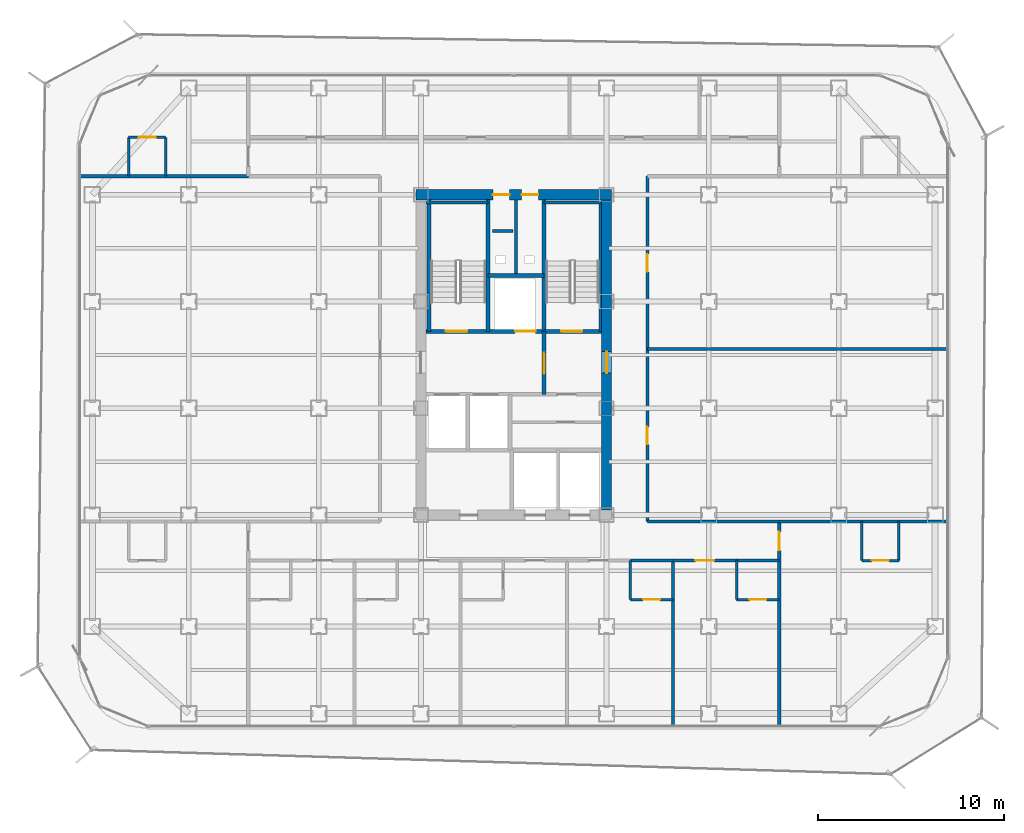
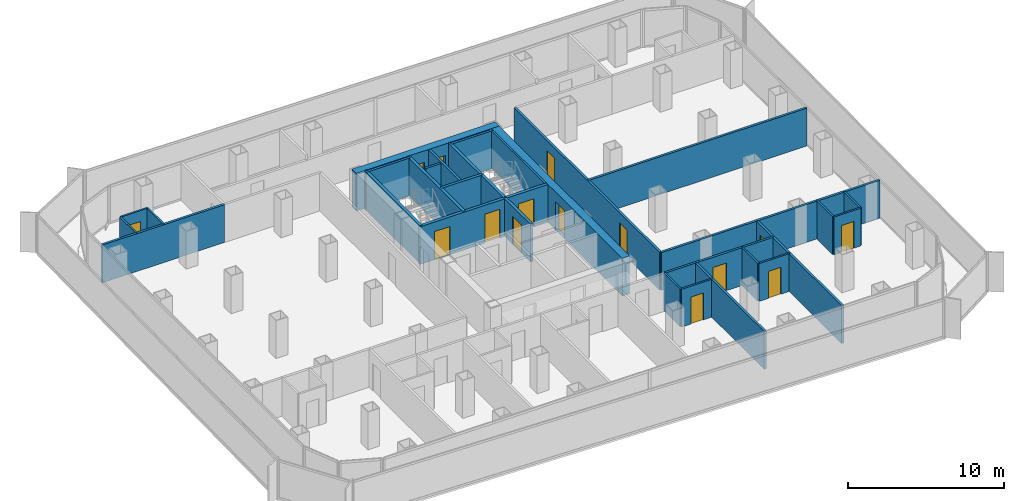
# One storey, part 17 of 21: 34 walls, 15 doors, 15 openings.
"""IFC4 building model written with IfcOpenShell, lengths in metres."""

from ifc_helpers import new_model, si_unit, direction, frame, frame_2d, origin, place, context, subcontext, project, spatial, rectangle, extrude, material, layer, layer_set, type_object, element, fill, save


model = new_model("IFC4")

# Units and contexts
model_context = context("Model", 3, precision=1e-05, world=origin(), true_north=direction((0.0, 1.0)))
body_context = subcontext(model_context, "Body", "Model", "MODEL_VIEW")
ifc_project = project(units=[si_unit("LENGTHUNIT", "METRE"), si_unit("AREAUNIT", "SQUARE_METRE"), si_unit("VOLUMEUNIT", "CUBIC_METRE"), si_unit("PLANEANGLEUNIT", "RADIAN"), si_unit("MASSUNIT", "GRAM", prefix="KILO")], contexts=[model_context])

# Site, building, storey
site_placement = place(None, origin())
site = spatial("IfcSite", under=ifc_project, at=site_placement, CompositionType="ELEMENT")
building_placement = place(site_placement, origin())
building = spatial("IfcBuilding", under=site, at=building_placement, Name="Kolveth Station Tower", CompositionType="ELEMENT")
storey_placement = place(building_placement, frame((0.0, 0.0, 99.10009765625)))
storey = spatial("IfcBuildingStorey", under=building, at=storey_placement, Name="L26", CompositionType="ELEMENT", Elevation=99.10009765625)

# Wall, openings, doors
ifc_material_1 = material(Name="Concrete C60/75", Category="concrete")
ifc_layer_1 = layer(ifc_material_1, 0.550048828125)
ifc_layer_set_1 = layer_set([ifc_layer_1], Name="Concrete C60/75")
wall_type_1 = type_object("IfcWallType", Name="Wall_CW-550", PredefinedType="SHEAR", material=ifc_layer_set_1)
wall_1_placement = place(storey_placement, frame((18.22509765625, 28.75, 0.0), z_axis=(0.0, 0.0, 1.0), x_axis=(1.0, 0.0, 0.0)))
wall_1 = element("IfcWall", 1, at=wall_1_placement, inside=storey, type_object=wall_type_1, Name="L26 Core RC Shear Wall N", PredefinedType="SHEAR", context=body_context, shape_type="SweptSolid", body=[
    extrude(rectangle(XDim=10.5498046875, YDim=0.550048828125, at=frame_2d((5.27490234375, 0.0))), origin(), (0.0, 0.0, 1.0), 2.949951171875),
])
opening_1_placement = place(wall_1_placement, frame((4.155029296875, 0.0, 0.0)))
opening_1 = element("IfcOpeningElement", 2, at=opening_1_placement, cuts=wall_1, Name="Opening RD1", PredefinedType="OPENING", context=body_context, shape_type="SweptSolid", body=[
    extrude(rectangle(XDim=0.89990234375, YDim=2.050048828125, at=frame_2d((0.449951171875, 1.02490234375))), frame((0.0, 0.284912109375, 0.0), z_axis=(0.0, -1.0, 0.0), x_axis=(1.0, 0.0, 0.0)), (0.0, 0.0, 1.0), 0.570068359375),
])
opening_2_placement = place(wall_1_placement, frame((5.695068359375, 0.0, 0.0)))
opening_2 = element("IfcOpeningElement", 3, at=opening_2_placement, cuts=wall_1, Name="Opening RD1", PredefinedType="OPENING", context=body_context, shape_type="SweptSolid", body=[
    extrude(rectangle(XDim=0.89990234375, YDim=2.050048828125, at=frame_2d((0.449951171875, 1.02490234375))), frame((0.0, 0.284912109375, 0.0), z_axis=(0.0, -1.0, 0.0), x_axis=(1.0, 0.0, 0.0)), (0.0, 0.0, 1.0), 0.570068359375),
])
ifc_material_2 = material(Name="Fire-rated Steel S355 riser access leaf", Category="steel")
door_type_1 = type_object("IfcDoorType", Name="Door_RD1", OperationType="NOTDEFINED", PredefinedType="DOOR", material=ifc_material_2)
door_1_placement = place(opening_1_placement, origin())
door_1 = element("IfcDoor", 4, at=door_1_placement, inside=storey, type_object=door_type_1, Name="L26 Electrical Riser Access Door", OperationType="SINGLE_SWING_RIGHT", OverallHeight=2.050048828125, OverallWidth=0.89990234375, PredefinedType="DOOR", context=body_context, shape_type="SweptSolid", body=[
    extrude(rectangle(XDim=0.89990234375, YDim=2.050048828125, at=frame_2d((0.449951171875, 1.02490234375))), frame((0.0, 0.02490234375, 0.0), z_axis=(0.0, -1.0, 0.0), x_axis=(1.0, 0.0, 0.0)), (0.0, 0.0, 1.0), 0.050048828125),
])
fill(opening_1, door_1)
door_2_placement = place(opening_2_placement, origin())
door_2 = element("IfcDoor", 5, at=door_2_placement, inside=storey, type_object=door_type_1, Name="L26 Smoke Duct Access Door", OperationType="SINGLE_SWING_LEFT", OverallHeight=2.050048828125, OverallWidth=0.89990234375, PredefinedType="DOOR", context=body_context, shape_type="SweptSolid", body=[
    extrude(rectangle(XDim=0.89990234375, YDim=2.050048828125, at=frame_2d((0.449951171875, 1.02490234375))), frame((0.0, 0.02490234375, 0.0), z_axis=(0.0, -1.0, 0.0), x_axis=(1.0, 0.0, 0.0)), (0.0, 0.0, 1.0), 0.050048828125),
])
fill(opening_2, door_2)

# Wall, opening, door
wall_2_placement = place(storey_placement, frame((28.5, 11.77490234375, 0.0), z_axis=(0.0, 0.0, 1.0), x_axis=(0.0, 1.0, 0.0)))
wall_2 = element("IfcWall", 6, at=wall_2_placement, inside=storey, type_object=wall_type_1, Name="L26 Core RC Shear Wall E", PredefinedType="SHEAR", context=body_context, shape_type="SweptSolid", body=[
    extrude(rectangle(XDim=16.7001953125, YDim=0.550048828125, at=frame_2d((8.35009765625, 0.0))), origin(), (0.0, 0.0, 1.0), 2.949951171875),
])
opening_3_placement = place(wall_2_placement, frame((7.375, 0.0, 0.0)))
opening_3 = element("IfcOpeningElement", 7, at=opening_3_placement, cuts=wall_2, Name="Opening FD1", PredefinedType="OPENING", context=body_context, shape_type="SweptSolid", body=[
    extrude(rectangle(XDim=1.14990234375, YDim=2.199951171875, at=frame_2d((0.574951171875, 1.10009765625))), frame((0.0, 0.284912109375, 0.0), z_axis=(0.0, -1.0, 0.0), x_axis=(1.0, 0.0, 0.0)), (0.0, 0.0, 1.0), 0.570068359375),
])
ifc_material_3 = material(Name="Fire-rated Steel S355 leaf and frame", Category="steel")
door_type_2 = type_object("IfcDoorType", Name="Door_FD1", OperationType="NOTDEFINED", PredefinedType="DOOR", material=ifc_material_3)
door_3_placement = place(opening_3_placement, origin())
door_3 = element("IfcDoor", 8, at=door_3_placement, inside=storey, type_object=door_type_2, Name="L26 East Corridor to Stair Lobby Door", OperationType="SINGLE_SWING_LEFT", OverallHeight=2.199951171875, OverallWidth=1.14990234375, PredefinedType="DOOR", context=body_context, shape_type="SweptSolid", body=[
    extrude(rectangle(XDim=1.14990234375, YDim=2.199951171875, at=frame_2d((0.574951171875, 1.10009765625))), frame((0.0, 0.02490234375, 0.0), z_axis=(0.0, -1.0, 0.0), x_axis=(1.0, 0.0, 0.0)), (0.0, 0.0, 1.0), 0.050048828125),
])
fill(opening_3, door_3)

# Walls
ifc_material_4 = material(Name="Moisture-resistant gypsum partition")
ifc_layer_2 = layer(ifc_material_4, 0.135009765625)
ifc_layer_set_2 = layer_set([ifc_layer_2], Name="Moisture-resistant gypsum partition")
wall_type_2 = type_object("IfcWallType", Name="Wall_IW-135", PredefinedType="PARTITIONING", material=ifc_layer_set_2)
wall_3_placement = place(storey_placement, frame((28.16748046875, 21.389892578125, 0.0), z_axis=(0.0, 0.0, 1.0), x_axis=(0.0, 1.0, 0.0)))
element("IfcWall", 9, at=wall_3_placement, inside=storey, type_object=wall_type_2, Name="L26 Stair Shaft Wall WL-L26-ST2-E", PredefinedType="PARTITIONING", context=body_context, shape_type="SweptSolid", body=[
    extrude(rectangle(XDim=6.945068359375, YDim=0.135009765625, at=frame_2d((3.47265625, 0.0))), origin(), (0.0, 0.0, 1.0), 2.949951171875),
])
for number, where, z_axis, x_axis, name in (
    (10, (2.75, 29.75, 0.0), (0.0, 0.0, 1.0), (0.0, 1.0, 0.0), "L26 Partition Wall WL-L26-WS2-BV1"),
    (11, (4.75, 29.75, 0.0), (0.0, 0.0, 1.0), (0.0, 1.0, 0.0), "L26 Partition Wall WL-L26-WS2-BV2"),
):
    element("IfcWall", number, at=place(storey_placement, frame(where, z_axis=z_axis, x_axis=x_axis)), inside=storey, type_object=wall_type_2, Name=name, PredefinedType="PARTITIONING", context=body_context, shape_type="SweptSolid", body=[
        extrude(rectangle(XDim=2.10009765625, YDim=0.135009765625, at=frame_2d((1.050048828125, 0.0))), origin(), (0.0, 0.0, 1.0), 2.949951171875),
    ])

# Wall, opening, door
wall_4_placement = place(storey_placement, frame((2.75, 31.85009765625, 0.0), z_axis=(0.0, 0.0, 1.0), x_axis=(1.0, 0.0, 0.0)))
wall_4 = element("IfcWall", 12, at=wall_4_placement, inside=storey, type_object=wall_type_2, Name="L26 Partition Wall WL-L26-WS2-BH", PredefinedType="PARTITIONING", context=body_context, shape_type="SweptSolid", body=[
    extrude(rectangle(XDim=2.0, YDim=0.135009765625, at=frame_2d((1.0, 0.0))), origin(), (0.0, 0.0, 1.0), 2.949951171875),
])
opening_4_placement = place(wall_4_placement, frame((0.5400390625, 0.0, 0.0)))
opening_4 = element("IfcOpeningElement", 13, at=opening_4_placement, cuts=wall_4, Name="Opening ID2", PredefinedType="OPENING", context=body_context, shape_type="SweptSolid", body=[
    extrude(rectangle(XDim=0.919921875, YDim=2.10009765625, at=frame_2d((0.4599609375, 1.050048828125))), frame((0.0, 0.077392578125, 0.0), z_axis=(0.0, -1.0, 0.0), x_axis=(1.0, 0.0, 0.0)), (0.0, 0.0, 1.0), 0.155029296875),
])
ifc_material_5 = material(Name="Moisture-resistant hardwood leaf", Category="wood")
door_type_3 = type_object("IfcDoorType", Name="Door_ID2", OperationType="NOTDEFINED", PredefinedType="DOOR", material=ifc_material_5)
door_4_placement = place(opening_4_placement, frame((0.919921875, 0.0, 0.0), z_axis=(0.0, 0.0, 1.0), x_axis=(-1.0, 0.0, 0.0)))
door_4 = element("IfcDoor", 14, at=door_4_placement, inside=storey, type_object=door_type_3, Name="L26 Hotel Guest Room WS2 En-Suite Door", OperationType="SINGLE_SWING_LEFT", OverallHeight=2.10009765625, OverallWidth=0.919921875, PredefinedType="DOOR", context=body_context, shape_type="SweptSolid", body=[
    extrude(rectangle(XDim=0.919921875, YDim=2.10009765625, at=frame_2d((0.4599609375, 1.050048828125))), frame((0.0, 0.02490234375, 0.0), z_axis=(0.0, -1.0, 0.0), x_axis=(1.0, 0.0, 0.0)), (0.0, 0.0, 1.0), 0.050048828125),
])
fill(opening_4, door_4)

# Walls
for number, where, z_axis, x_axis, name in (
    (15, (42.25, 9.050048828125, 0.0), (0.0, 0.0, 1.0), (0.0, 1.0, 0.0), "L26 Partition Wall WL-L26-ES1-BV1"),
    (16, (44.25, 9.050048828125, 0.0), (0.0, 0.0, 1.0), (0.0, 1.0, 0.0), "L26 Partition Wall WL-L26-ES1-BV2"),
):
    element("IfcWall", number, at=place(storey_placement, frame(where, z_axis=z_axis, x_axis=x_axis)), inside=storey, type_object=wall_type_2, Name=name, PredefinedType="PARTITIONING", context=body_context, shape_type="SweptSolid", body=[
        extrude(rectangle(XDim=2.099853515625, YDim=0.135009765625, at=frame_2d((1.0498046875, 0.0))), origin(), (0.0, 0.0, 1.0), 2.949951171875),
    ])

# Wall, opening, door
wall_5_placement = place(storey_placement, frame((42.25, 9.050048828125, 0.0), z_axis=(0.0, 0.0, 1.0), x_axis=(1.0, 0.0, 0.0)))
wall_5 = element("IfcWall", 17, at=wall_5_placement, inside=storey, type_object=wall_type_2, Name="L26 Partition Wall WL-L26-ES1-BH", PredefinedType="PARTITIONING", context=body_context, shape_type="SweptSolid", body=[
    extrude(rectangle(XDim=2.0, YDim=0.135009765625, at=frame_2d((1.0, 0.0))), origin(), (0.0, 0.0, 1.0), 2.949951171875),
])
opening_5_placement = place(wall_5_placement, frame((0.5400390625, 0.0, 0.0)))
opening_5 = element("IfcOpeningElement", 18, at=opening_5_placement, cuts=wall_5, Name="Opening ID2", PredefinedType="OPENING", context=body_context, shape_type="SweptSolid", body=[
    extrude(rectangle(XDim=0.919921875, YDim=2.10009765625, at=frame_2d((0.4599609375, 1.050048828125))), frame((0.0, 0.077392578125, 0.0), z_axis=(0.0, -1.0, 0.0), x_axis=(1.0, 0.0, 0.0)), (0.0, 0.0, 1.0), 0.155029296875),
])
door_5_placement = place(opening_5_placement, origin())
door_5 = element("IfcDoor", 19, at=door_5_placement, inside=storey, type_object=door_type_3, Name="L26 Hotel Corner Suite ES1 En-Suite Door", OperationType="SINGLE_SWING_LEFT", OverallHeight=2.10009765625, OverallWidth=0.919921875, PredefinedType="DOOR", context=body_context, shape_type="SweptSolid", body=[
    extrude(rectangle(XDim=0.919921875, YDim=2.10009765625, at=frame_2d((0.4599609375, 1.050048828125))), frame((0.0, 0.02490234375, 0.0), z_axis=(0.0, -1.0, 0.0), x_axis=(1.0, 0.0, 0.0)), (0.0, 0.0, 1.0), 0.050048828125),
])
fill(opening_5, door_5)

# Wall
wall_6_placement = place(storey_placement, frame((29.780029296875, 6.949951171875, 0.0), z_axis=(0.0, 0.0, 1.0), x_axis=(0.0, 1.0, 0.0)))
element("IfcWall", 20, at=wall_6_placement, inside=storey, type_object=wall_type_2, Name="L26 Partition Wall WL-L26-HS4-BV", PredefinedType="PARTITIONING", context=body_context, shape_type="SweptSolid", body=[
    extrude(rectangle(XDim=2.10009765625, YDim=0.135009765625, at=frame_2d((1.050048828125, 0.0))), origin(), (0.0, 0.0, 1.0), 2.949951171875),
])

# Wall, opening, door
wall_7_placement = place(storey_placement, frame((29.780029296875, 6.949951171875, 0.0), z_axis=(0.0, 0.0, 1.0), x_axis=(1.0, 0.0, 0.0)))
wall_7 = element("IfcWall", 21, at=wall_7_placement, inside=storey, type_object=wall_type_2, Name="L26 Partition Wall WL-L26-HS4-BH", PredefinedType="PARTITIONING", context=body_context, shape_type="SweptSolid", body=[
    extrude(rectangle(XDim=2.300048828125, YDim=0.135009765625, at=frame_2d((1.14990234375, 0.0))), origin(), (0.0, 0.0, 1.0), 2.949951171875),
])
opening_6_placement = place(wall_7_placement, frame((0.68994140625, 0.0, 0.0)))
opening_6 = element("IfcOpeningElement", 22, at=opening_6_placement, cuts=wall_7, Name="Opening ID2", PredefinedType="OPENING", context=body_context, shape_type="SweptSolid", body=[
    extrude(rectangle(XDim=0.919921875, YDim=2.10009765625, at=frame_2d((0.4599609375, 1.050048828125))), frame((0.0, 0.077392578125, 0.0), z_axis=(0.0, -1.0, 0.0), x_axis=(1.0, 0.0, 0.0)), (0.0, 0.0, 1.0), 0.155029296875),
])
door_6_placement = place(opening_6_placement, origin())
door_6 = element("IfcDoor", 23, at=door_6_placement, inside=storey, type_object=door_type_3, Name="L26 Hotel Guest Room HS4 En-Suite Door", OperationType="SINGLE_SWING_LEFT", OverallHeight=2.10009765625, OverallWidth=0.919921875, PredefinedType="DOOR", context=body_context, shape_type="SweptSolid", body=[
    extrude(rectangle(XDim=0.919921875, YDim=2.10009765625, at=frame_2d((0.4599609375, 1.050048828125))), frame((0.0, 0.02490234375, 0.0), z_axis=(0.0, -1.0, 0.0), x_axis=(1.0, 0.0, 0.0)), (0.0, 0.0, 1.0), 0.050048828125),
])
fill(opening_6, door_6)

# Wall
wall_8_placement = place(storey_placement, frame((35.5, 6.949951171875, 0.0), z_axis=(0.0, 0.0, 1.0), x_axis=(0.0, 1.0, 0.0)))
element("IfcWall", 24, at=wall_8_placement, inside=storey, type_object=wall_type_2, Name="L26 Partition Wall WL-L26-HS5-BV", PredefinedType="PARTITIONING", context=body_context, shape_type="SweptSolid", body=[
    extrude(rectangle(XDim=2.10009765625, YDim=0.135009765625, at=frame_2d((1.050048828125, 0.0))), origin(), (0.0, 0.0, 1.0), 2.949951171875),
])

# Wall, opening, door
wall_9_placement = place(storey_placement, frame((35.5, 6.949951171875, 0.0), z_axis=(0.0, 0.0, 1.0), x_axis=(1.0, 0.0, 0.0)))
wall_9 = element("IfcWall", 25, at=wall_9_placement, inside=storey, type_object=wall_type_2, Name="L26 Partition Wall WL-L26-HS5-BH", PredefinedType="PARTITIONING", context=body_context, shape_type="SweptSolid", body=[
    extrude(rectangle(XDim=2.300048828125, YDim=0.135009765625, at=frame_2d((1.14990234375, 0.0))), origin(), (0.0, 0.0, 1.0), 2.949951171875),
])
opening_7_placement = place(wall_9_placement, frame((0.68994140625, 0.0, 0.0)))
opening_7 = element("IfcOpeningElement", 26, at=opening_7_placement, cuts=wall_9, Name="Opening ID2", PredefinedType="OPENING", context=body_context, shape_type="SweptSolid", body=[
    extrude(rectangle(XDim=0.919921875, YDim=2.10009765625, at=frame_2d((0.4599609375, 1.050048828125))), frame((0.0, 0.077392578125, 0.0), z_axis=(0.0, -1.0, 0.0), x_axis=(1.0, 0.0, 0.0)), (0.0, 0.0, 1.0), 0.155029296875),
])
door_7_placement = place(opening_7_placement, origin())
door_7 = element("IfcDoor", 27, at=door_7_placement, inside=storey, type_object=door_type_3, Name="L26 Hotel Guest Room HS5 En-Suite Door", OperationType="SINGLE_SWING_LEFT", OverallHeight=2.10009765625, OverallWidth=0.919921875, PredefinedType="DOOR", context=body_context, shape_type="SweptSolid", body=[
    extrude(rectangle(XDim=0.919921875, YDim=2.10009765625, at=frame_2d((0.4599609375, 1.050048828125))), frame((0.0, 0.02490234375, 0.0), z_axis=(0.0, -1.0, 0.0), x_axis=(1.0, 0.0, 0.0)), (0.0, 0.0, 1.0), 0.050048828125),
])
fill(opening_7, door_7)

# Walls
ifc_material_6 = material(Name="Acoustic double-stud gypsum partition")
ifc_layer_3 = layer(ifc_material_6, 0.1650390625)
ifc_layer_set_3 = layer_set([ifc_layer_3], Name="Acoustic double-stud gypsum partition")
wall_type_3 = type_object("IfcWallType", Name="Wall_IW-165", PredefinedType="PARTITIONING", material=ifc_layer_set_3)
wall_10_placement = place(storey_placement, frame((18.784912109375, 28.3349609375, 0.0), z_axis=(0.0, 0.0, 1.0), x_axis=(1.0, 0.0, 0.0)))
element("IfcWall", 28, at=wall_10_placement, inside=storey, type_object=wall_type_3, Name="L26 Stair Shaft Wall WL-L26-ST1-N", PredefinedType="PARTITIONING", context=body_context, shape_type="SweptSolid", body=[
    extrude(rectangle(XDim=3.3251953125, YDim=0.1650390625, at=frame_2d((1.66259765625, 0.0))), origin(), (0.0, 0.0, 1.0), 2.949951171875),
])
wall_11_placement = place(storey_placement, frame((25.1298828125, 28.3349609375, 0.0), z_axis=(0.0, 0.0, 1.0), x_axis=(1.0, 0.0, 0.0)))
element("IfcWall", 29, at=wall_11_placement, inside=storey, type_object=wall_type_3, Name="L26 Stair Shaft Wall WL-L26-ST2-N", PredefinedType="PARTITIONING", context=body_context, shape_type="SweptSolid", body=[
    extrude(rectangle(XDim=3.085205078125, YDim=0.1650390625, at=frame_2d((1.54248046875, 0.0))), origin(), (0.0, 0.0, 1.0), 2.949951171875),
])
wall_12_placement = place(storey_placement, frame((23.6201171875, 24.39990234375, 0.0), z_axis=(0.0, 0.0, 1.0), x_axis=(0.0, 1.0, 0.0)))
element("IfcWall", 30, at=wall_12_placement, inside=storey, type_object=wall_type_3, Name="L26 Partition Wall WL-L26-RSR-M", PredefinedType="PARTITIONING", context=body_context, shape_type="SweptSolid", body=[
    extrude(rectangle(XDim=4.065185546875, YDim=0.1650390625, at=frame_2d((2.03271484375, 0.0))), origin(), (0.0, 0.0, 1.0), 2.949951171875),
])
wall_13_placement = place(storey_placement, frame((30.699951171875, 11.14990234375, 0.0), z_axis=(0.0, 0.0, 1.0), x_axis=(1.0, 0.0, 0.0)))
element("IfcWall", 31, at=wall_13_placement, inside=storey, type_object=wall_type_3, Name="L26 Partition Wall WL-L26-HSET", PredefinedType="PARTITIONING", context=body_context, shape_type="SweptSolid", body=[
    extrude(rectangle(XDim=7.10009765625, YDim=0.1650390625, at=frame_2d((3.550048828125, 0.0))), origin(), (0.0, 0.0, 1.0), 2.949951171875),
])

# Wall, openings, doors
wall_14_placement = place(storey_placement, frame((30.699951171875, 11.14990234375, 0.0), z_axis=(0.0, 0.0, 1.0), x_axis=(0.0, 1.0, 0.0)))
wall_14 = element("IfcWall", 32, at=wall_14_placement, inside=storey, type_object=wall_type_3, Name="L26 Partition Wall WL-L26-HE", PredefinedType="PARTITIONING", context=body_context, shape_type="SweptSolid", body=[
    extrude(rectangle(XDim=18.60009765625, YDim=0.1650390625, at=frame_2d((9.300048828125, 0.0))), origin(), (0.0, 0.0, 1.0), 2.949951171875),
])
opening_8_placement = place(wall_14_placement, frame((4.14990234375, 0.0, 0.0)))
opening_8 = element("IfcOpeningElement", 33, at=opening_8_placement, cuts=wall_14, Name="Opening ID1", PredefinedType="OPENING", context=body_context, shape_type="SweptSolid", body=[
    extrude(rectangle(XDim=0.949951171875, YDim=2.14990234375, at=frame_2d((0.47509765625, 1.074951171875))), frame((0.0, 0.092529296875, 0.0), z_axis=(0.0, -1.0, 0.0), x_axis=(1.0, 0.0, 0.0)), (0.0, 0.0, 1.0), 0.18505859375),
])
opening_9_placement = place(wall_14_placement, frame((13.449951171875, 0.0, 0.0)))
opening_9 = element("IfcOpeningElement", 34, at=opening_9_placement, cuts=wall_14, Name="Opening ID1", PredefinedType="OPENING", context=body_context, shape_type="SweptSolid", body=[
    extrude(rectangle(XDim=0.949951171875, YDim=2.14990234375, at=frame_2d((0.47509765625, 1.074951171875))), frame((0.0, 0.092529296875, 0.0), z_axis=(0.0, -1.0, 0.0), x_axis=(1.0, 0.0, 0.0)), (0.0, 0.0, 1.0), 0.18505859375),
])
ifc_material_7 = material(Name="Acoustic hardwood leaf and aluminium frame", Category="wood")
door_type_4 = type_object("IfcDoorType", Name="Door_ID1", OperationType="NOTDEFINED", PredefinedType="DOOR", material=ifc_material_7)
door_8_placement = place(opening_8_placement, origin())
door_8 = element("IfcDoor", 35, at=door_8_placement, inside=storey, type_object=door_type_4, Name="L26 Hotel Guest Lounge East Door", OperationType="SINGLE_SWING_RIGHT", OverallHeight=2.14990234375, OverallWidth=0.949951171875, PredefinedType="DOOR", context=body_context, shape_type="SweptSolid", body=[
    extrude(rectangle(XDim=0.949951171875, YDim=2.14990234375, at=frame_2d((0.47509765625, 1.074951171875))), frame((0.0, 0.02490234375, 0.0), z_axis=(0.0, -1.0, 0.0), x_axis=(1.0, 0.0, 0.0)), (0.0, 0.0, 1.0), 0.050048828125),
])
fill(opening_8, door_8)
door_9_placement = place(opening_9_placement, origin())
door_9 = element("IfcDoor", 36, at=door_9_placement, inside=storey, type_object=door_type_4, Name="L26 Spa Treatment Suite Door", OperationType="SINGLE_SWING_LEFT", OverallHeight=2.14990234375, OverallWidth=0.949951171875, PredefinedType="DOOR", context=body_context, shape_type="SweptSolid", body=[
    extrude(rectangle(XDim=0.949951171875, YDim=2.14990234375, at=frame_2d((0.47509765625, 1.074951171875))), frame((0.0, 0.02490234375, 0.0), z_axis=(0.0, -1.0, 0.0), x_axis=(1.0, 0.0, 0.0)), (0.0, 0.0, 1.0), 0.050048828125),
])
fill(opening_9, door_9)

# Wall, opening, door
wall_15_placement = place(storey_placement, frame((37.800048828125, 0.159912109375, 0.0), z_axis=(0.0, 0.0, 1.0), x_axis=(0.0, 1.0, 0.0)))
wall_15 = element("IfcWall", 37, at=wall_15_placement, inside=storey, type_object=wall_type_3, Name="L26 Partition Wall WL-L26-END-ES", PredefinedType="PARTITIONING", context=body_context, shape_type="SweptSolid", body=[
    extrude(rectangle(XDim=10.989990234375, YDim=0.1650390625, at=frame_2d((5.4951171875, 0.0))), origin(), (0.0, 0.0, 1.0), 2.949951171875),
])
opening_10_placement = place(wall_15_placement, frame((9.43994140625, 0.0, 0.0)))
opening_10 = element("IfcOpeningElement", 38, at=opening_10_placement, cuts=wall_15, Name="Opening FD3", PredefinedType="OPENING", context=body_context, shape_type="SweptSolid", body=[
    extrude(rectangle(XDim=1.0, YDim=2.14990234375, at=frame_2d((0.5, 1.074951171875))), frame((0.0, 0.092529296875, 0.0), z_axis=(0.0, -1.0, 0.0), x_axis=(1.0, 0.0, 0.0)), (0.0, 0.0, 1.0), 0.18505859375),
])
ifc_material_8 = material(Name="Fire-rated hardwood leaf and aluminium frame", Category="wood")
door_type_5 = type_object("IfcDoorType", Name="Door_FD3", OperationType="NOTDEFINED", PredefinedType="DOOR", material=ifc_material_8)
door_10_placement = place(opening_10_placement, frame((1.0, 0.0, 0.0), z_axis=(0.0, 0.0, 1.0), x_axis=(-1.0, 0.0, 0.0)))
door_10 = element("IfcDoor", 39, at=door_10_placement, inside=storey, type_object=door_type_5, Name="L26 Hotel Corner Suite ES1 Entrance Door", OperationType="SINGLE_SWING_LEFT", OverallHeight=2.14990234375, OverallWidth=1.0, PredefinedType="DOOR", context=body_context, shape_type="SweptSolid", body=[
    extrude(rectangle(XDim=1.0, YDim=2.14990234375, at=frame_2d((0.5, 1.074951171875))), frame((0.0, 0.02490234375, 0.0), z_axis=(0.0, -1.0, 0.0), x_axis=(1.0, 0.0, 0.0)), (0.0, 0.0, 1.0), 0.050048828125),
])
fill(opening_10, door_10)

# Walls
for number, where, z_axis, x_axis, name in (
    (40, (0.159912109375, 29.75, 0.0), (0.0, 0.0, 1.0), (1.0, 0.0, 0.0), "L26 Partition Wall WL-L26-WM2"),
    (41, (37.800048828125, 11.14990234375, 0.0), (0.0, 0.0, 1.0), (1.0, 0.0, 0.0), "L26 Partition Wall WL-L26-EM1"),
):
    element("IfcWall", number, at=place(storey_placement, frame(where, z_axis=z_axis, x_axis=x_axis)), inside=storey, type_object=wall_type_3, Name=name, PredefinedType="PARTITIONING", context=body_context, shape_type="SweptSolid", body=[
        extrude(rectangle(XDim=9.0400390625, YDim=0.1650390625, at=frame_2d((4.52001953125, 0.0))), origin(), (0.0, 0.0, 1.0), 2.949951171875),
    ])
wall_16_placement = place(storey_placement, frame((29.780029296875, 9.050048828125, 0.0), z_axis=(0.0, 0.0, 1.0), x_axis=(1.0, 0.0, 0.0)))
element("IfcWall", 42, at=wall_16_placement, inside=storey, type_object=wall_type_3, Name="L26 Partition Wall WL-L26-HS4-BCOR", PredefinedType="PARTITIONING", context=body_context, shape_type="SweptSolid", body=[
    extrude(rectangle(XDim=2.300048828125, YDim=0.1650390625, at=frame_2d((1.14990234375, 0.0))), origin(), (0.0, 0.0, 1.0), 2.949951171875),
])
wall_17_placement = place(storey_placement, frame((32.080078125, 0.159912109375, 0.0), z_axis=(0.0, 0.0, 1.0), x_axis=(0.0, 1.0, 0.0)))
element("IfcWall", 43, at=wall_17_placement, inside=storey, type_object=wall_type_3, Name="L26 Partition Wall WL-L26-HSK-4", PredefinedType="PARTITIONING", context=body_context, shape_type="SweptSolid", body=[
    extrude(rectangle(XDim=8.89013671875, YDim=0.1650390625, at=frame_2d((4.445068359375, 0.0))), origin(), (0.0, 0.0, 1.0), 2.949951171875),
])
wall_18_placement = place(storey_placement, frame((35.5, 9.050048828125, 0.0), z_axis=(0.0, 0.0, 1.0), x_axis=(1.0, 0.0, 0.0)))
element("IfcWall", 44, at=wall_18_placement, inside=storey, type_object=wall_type_3, Name="L26 Partition Wall WL-L26-HS5-BCOR", PredefinedType="PARTITIONING", context=body_context, shape_type="SweptSolid", body=[
    extrude(rectangle(XDim=2.300048828125, YDim=0.1650390625, at=frame_2d((1.14990234375, 0.0))), origin(), (0.0, 0.0, 1.0), 2.949951171875),
])

# Wall, opening, door
wall_19_placement = place(storey_placement, frame((32.080078125, 9.050048828125, 0.0), z_axis=(0.0, 0.0, 1.0), x_axis=(1.0, 0.0, 0.0)))
wall_19 = element("IfcWall", 45, at=wall_19_placement, inside=storey, type_object=wall_type_3, Name="L26 Partition Wall WL-L26-HS5-RCOR", PredefinedType="PARTITIONING", context=body_context, shape_type="SweptSolid", body=[
    extrude(rectangle(XDim=3.419921875, YDim=0.1650390625, at=frame_2d((1.7099609375, 0.0))), origin(), (0.0, 0.0, 1.0), 2.949951171875),
])
opening_11_placement = place(wall_19_placement, frame((1.2099609375, 0.0, 0.0)))
opening_11 = element("IfcOpeningElement", 46, at=opening_11_placement, cuts=wall_19, Name="Opening FD3", PredefinedType="OPENING", context=body_context, shape_type="SweptSolid", body=[
    extrude(rectangle(XDim=1.0, YDim=2.14990234375, at=frame_2d((0.5, 1.074951171875))), frame((0.0, 0.092529296875, 0.0), z_axis=(0.0, -1.0, 0.0), x_axis=(1.0, 0.0, 0.0)), (0.0, 0.0, 1.0), 0.18505859375),
])
door_11_placement = place(opening_11_placement, frame((1.0, 0.0, 0.0), z_axis=(0.0, 0.0, 1.0), x_axis=(-1.0, 0.0, 0.0)))
door_11 = element("IfcDoor", 47, at=door_11_placement, inside=storey, type_object=door_type_5, Name="L26 Hotel Guest Room HS5 Entrance Door", OperationType="SINGLE_SWING_RIGHT", OverallHeight=2.14990234375, OverallWidth=1.0, PredefinedType="DOOR", context=body_context, shape_type="SweptSolid", body=[
    extrude(rectangle(XDim=1.0, YDim=2.14990234375, at=frame_2d((0.5, 1.074951171875))), frame((0.0, 0.02490234375, 0.0), z_axis=(0.0, -1.0, 0.0), x_axis=(1.0, 0.0, 0.0)), (0.0, 0.0, 1.0), 0.050048828125),
])
fill(opening_11, door_11)

# Walls
wall_20_placement = place(storey_placement, frame((30.699951171875, 20.449951171875, 0.0), z_axis=(0.0, 0.0, 1.0), x_axis=(1.0, 0.0, 0.0)))
element("IfcWall", 48, at=wall_20_placement, inside=storey, type_object=wall_type_3, Name="L26 Partition Wall WL-L26-HME-P1", PredefinedType="PARTITIONING", context=body_context, shape_type="SweptSolid", body=[
    extrude(rectangle(XDim=16.14013671875, YDim=0.1650390625, at=frame_2d((8.070068359375, 0.0))), origin(), (0.0, 0.0, 1.0), 2.949951171875),
])
wall_21_placement = place(storey_placement, frame((22.35009765625, 26.800048828125, 0.0), z_axis=(0.0, 0.0, 1.0), x_axis=(1.0, 0.0, 0.0)))
element("IfcWall", 49, at=wall_21_placement, inside=storey, type_object=wall_type_3, Name="L26 Acoustic Riser Dry-Lining Wall", PredefinedType="PARTITIONING", context=body_context, shape_type="SweptSolid", body=[
    extrude(rectangle(XDim=1.099853515625, YDim=0.1650390625, at=frame_2d((0.5498046875, 0.0))), origin(), (0.0, 0.0, 1.0), 2.949951171875),
])
ifc_material_9 = material(Name="Acoustic fire-rated gypsum blockwork", Category="masonry")
ifc_layer_4 = layer(ifc_material_9, 0.199951171875)
ifc_layer_set_4 = layer_set([ifc_layer_4], Name="Acoustic fire-rated gypsum blockwork")
wall_type_4 = type_object("IfcWallType", Name="Wall_IW-200", PredefinedType="PARTITIONING", material=ifc_layer_set_4)
wall_22_placement = place(storey_placement, frame((22.110107421875, 24.39990234375, 0.0), z_axis=(0.0, 0.0, 1.0), x_axis=(1.0, 0.0, 0.0)))
element("IfcWall", 50, at=wall_22_placement, inside=storey, type_object=wall_type_4, Name="L26 Partition Wall WL-L26-RSR-S", PredefinedType="PARTITIONING", context=body_context, shape_type="SweptSolid", body=[
    extrude(rectangle(XDim=3.019775390625, YDim=0.199951171875, at=frame_2d((1.509765625, 0.0))), origin(), (0.0, 0.0, 1.0), 2.949951171875),
])

# Wall, opening, door
wall_23_placement = place(storey_placement, frame((25.1298828125, 18.0, 0.0), z_axis=(0.0, 0.0, 1.0), x_axis=(0.0, 1.0, 0.0)))
wall_23 = element("IfcWall", 51, at=wall_23_placement, inside=storey, type_object=wall_type_4, Name="L26 Partition Wall WL-L26-FFL-E", PredefinedType="PARTITIONING", context=body_context, shape_type="SweptSolid", body=[
    extrude(rectangle(XDim=3.389892578125, YDim=0.199951171875, at=frame_2d((1.69482421875, 0.0))), origin(), (0.0, 0.0, 1.0), 2.949951171875),
])
opening_12_placement = place(wall_23_placement, frame((1.10009765625, 0.0, 0.0)))
opening_12 = element("IfcOpeningElement", 52, at=opening_12_placement, cuts=wall_23, Name="Opening FD1", PredefinedType="OPENING", context=body_context, shape_type="SweptSolid", body=[
    extrude(rectangle(XDim=1.14990234375, YDim=2.199951171875, at=frame_2d((0.574951171875, 1.10009765625))), frame((0.0, 0.10986328125, 0.0), z_axis=(0.0, -1.0, 0.0), x_axis=(1.0, 0.0, 0.0)), (0.0, 0.0, 1.0), 0.219970703125),
])
door_12_placement = place(opening_12_placement, origin())
door_12 = element("IfcDoor", 53, at=door_12_placement, inside=storey, type_object=door_type_2, Name="L26 Firefighting to Stair Lobby Door", OperationType="SINGLE_SWING_LEFT", OverallHeight=2.199951171875, OverallWidth=1.14990234375, PredefinedType="DOOR", context=body_context, shape_type="SweptSolid", body=[
    extrude(rectangle(XDim=1.14990234375, YDim=2.199951171875, at=frame_2d((0.574951171875, 1.10009765625))), frame((0.0, 0.02490234375, 0.0), z_axis=(0.0, -1.0, 0.0), x_axis=(1.0, 0.0, 0.0)), (0.0, 0.0, 1.0), 0.050048828125),
])
fill(opening_12, door_12)

# Walls
ifc_material_10 = material(Name="Concrete C40/50", Category="concrete")
ifc_layer_5 = layer(ifc_material_10, 0.219970703125)
ifc_layer_set_5 = layer_set([ifc_layer_5], Name="Concrete C40/50")
wall_type_5 = type_object("IfcWallType", Name="Wall_IW-220", PredefinedType="SOLIDWALL", material=ifc_layer_set_5)
for number, where, z_axis, x_axis, name in (
    (54, (18.929931640625, 21.389892578125, 0.0), (0.0, 0.0, 1.0), (0.0, 1.0, 0.0), "L26 Stair Shaft Wall WL-L26-ST1-W"),
    (55, (22.110107421875, 21.389892578125, 0.0), (0.0, 0.0, 1.0), (0.0, 1.0, 0.0), "L26 Stair Shaft Wall WL-L26-ST1-E"),
    (56, (25.1298828125, 21.389892578125, 0.0), (0.0, 0.0, 1.0), (0.0, 1.0, 0.0), "L26 Stair Shaft Wall WL-L26-ST2-W"),
):
    element("IfcWall", number, at=place(storey_placement, frame(where, z_axis=z_axis, x_axis=x_axis)), inside=storey, type_object=wall_type_5, Name=name, PredefinedType="SOLIDWALL", context=body_context, shape_type="SweptSolid", body=[
        extrude(rectangle(XDim=7.110107421875, YDim=0.219970703125, at=frame_2d((3.55517578125, 0.0))), origin(), (0.0, 0.0, 1.0), 2.949951171875),
    ])

# Wall, openings, doors
wall_24_placement = place(storey_placement, frame((18.784912109375, 21.389892578125, 0.0), z_axis=(0.0, 0.0, 1.0), x_axis=(1.0, 0.0, 0.0)))
wall_24 = element("IfcWall", 57, at=wall_24_placement, inside=storey, type_object=wall_type_5, Name="L26 Stair Shaft Wall WL-L26-ST1-S", PredefinedType="SOLIDWALL", context=body_context, shape_type="SweptSolid", body=[
    extrude(rectangle(XDim=6.344970703125, YDim=0.219970703125, at=frame_2d((3.17236328125, 0.0))), origin(), (0.0, 0.0, 1.0), 2.949951171875),
])
opening_13_placement = place(wall_24_placement, frame((1.06494140625, 0.0, 0.0)))
opening_13 = element("IfcOpeningElement", 58, at=opening_13_placement, cuts=wall_24, Name="Opening FD1", PredefinedType="OPENING", context=body_context, shape_type="SweptSolid", body=[
    extrude(rectangle(XDim=1.14990234375, YDim=2.199951171875, at=frame_2d((0.574951171875, 1.10009765625))), frame((0.0, 0.119873046875, 0.0), z_axis=(0.0, -1.0, 0.0), x_axis=(1.0, 0.0, 0.0)), (0.0, 0.0, 1.0), 0.239990234375),
])
opening_14_placement = place(wall_24_placement, frame((4.794921875, 0.0, 0.0)))
opening_14 = element("IfcOpeningElement", 59, at=opening_14_placement, cuts=wall_24, Name="Opening LD1", PredefinedType="OPENING", context=body_context, shape_type="SweptSolid", body=[
    extrude(rectangle(XDim=1.10009765625, YDim=2.25, at=frame_2d((0.550048828125, 1.125))), frame((0.0, 0.119873046875, 0.0), z_axis=(0.0, -1.0, 0.0), x_axis=(1.0, 0.0, 0.0)), (0.0, 0.0, 1.0), 0.239990234375),
])
door_13_placement = place(opening_13_placement, frame((1.14990234375, 0.0, 0.0), z_axis=(0.0, 0.0, 1.0), x_axis=(-1.0, 0.0, 0.0)))
door_13 = element("IfcDoor", 60, at=door_13_placement, inside=storey, type_object=door_type_2, Name="L26 Stair ST1 Fire Door", OperationType="SINGLE_SWING_LEFT", OverallHeight=2.199951171875, OverallWidth=1.14990234375, PredefinedType="DOOR", context=body_context, shape_type="SweptSolid", body=[
    extrude(rectangle(XDim=1.14990234375, YDim=2.199951171875, at=frame_2d((0.574951171875, 1.10009765625))), frame((0.0, 0.02490234375, 0.0), z_axis=(0.0, -1.0, 0.0), x_axis=(1.0, 0.0, 0.0)), (0.0, 0.0, 1.0), 0.050048828125),
])
fill(opening_13, door_13)
ifc_material_11 = material(Name="Brushed stainless steel sliding landing doors", Category="steel")
door_type_6 = type_object("IfcDoorType", Name="Door_LD1", OperationType="NOTDEFINED", PredefinedType="DOOR", material=ifc_material_11)
door_14_placement = place(opening_14_placement, frame((1.10009765625, 0.0, 0.0), z_axis=(0.0, 0.0, 1.0), x_axis=(-1.0, 0.0, 0.0)))
door_14 = element("IfcDoor", 61, at=door_14_placement, inside=storey, type_object=door_type_6, Name="L26 Service Lift SV1 Landing Door", OperationType="DOUBLE_DOOR_SLIDING", OverallHeight=2.25, OverallWidth=1.10009765625, PredefinedType="DOOR", context=body_context, shape_type="SweptSolid", body=[
    extrude(rectangle(XDim=1.10009765625, YDim=2.25, at=frame_2d((0.550048828125, 1.125))), frame((0.0, 0.02490234375, 0.0), z_axis=(0.0, -1.0, 0.0), x_axis=(1.0, 0.0, 0.0)), (0.0, 0.0, 1.0), 0.050048828125),
])
fill(opening_14, door_14)

# Wall, opening, door
wall_25_placement = place(storey_placement, frame((25.1298828125, 21.389892578125, 0.0), z_axis=(0.0, 0.0, 1.0), x_axis=(1.0, 0.0, 0.0)))
wall_25 = element("IfcWall", 62, at=wall_25_placement, inside=storey, type_object=wall_type_5, Name="L26 Stair Shaft Wall WL-L26-ST2-S", PredefinedType="SOLIDWALL", context=body_context, shape_type="SweptSolid", body=[
    extrude(rectangle(XDim=3.085205078125, YDim=0.219970703125, at=frame_2d((1.54248046875, 0.0))), origin(), (0.0, 0.0, 1.0), 2.949951171875),
])
opening_15_placement = place(wall_25_placement, frame((0.919921875, 0.0, 0.0)))
opening_15 = element("IfcOpeningElement", 63, at=opening_15_placement, cuts=wall_25, Name="Opening FD1", PredefinedType="OPENING", context=body_context, shape_type="SweptSolid", body=[
    extrude(rectangle(XDim=1.14990234375, YDim=2.199951171875, at=frame_2d((0.574951171875, 1.10009765625))), frame((0.0, 0.119873046875, 0.0), z_axis=(0.0, -1.0, 0.0), x_axis=(1.0, 0.0, 0.0)), (0.0, 0.0, 1.0), 0.239990234375),
])
door_15_placement = place(opening_15_placement, frame((1.14990234375, 0.0, 0.0), z_axis=(0.0, 0.0, 1.0), x_axis=(-1.0, 0.0, 0.0)))
door_15 = element("IfcDoor", 64, at=door_15_placement, inside=storey, type_object=door_type_2, Name="L26 Stair ST2 Fire Door", OperationType="SINGLE_SWING_RIGHT", OverallHeight=2.199951171875, OverallWidth=1.14990234375, PredefinedType="DOOR", context=body_context, shape_type="SweptSolid", body=[
    extrude(rectangle(XDim=1.14990234375, YDim=2.199951171875, at=frame_2d((0.574951171875, 1.10009765625))), frame((0.0, 0.02490234375, 0.0), z_axis=(0.0, -1.0, 0.0), x_axis=(1.0, 0.0, 0.0)), (0.0, 0.0, 1.0), 0.050048828125),
])
fill(opening_15, door_15)

save(model, "model.ifc")
